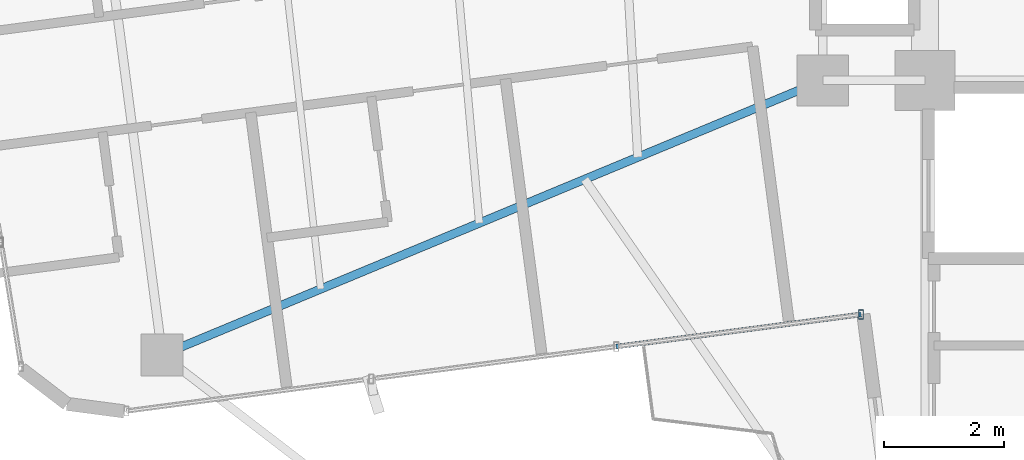
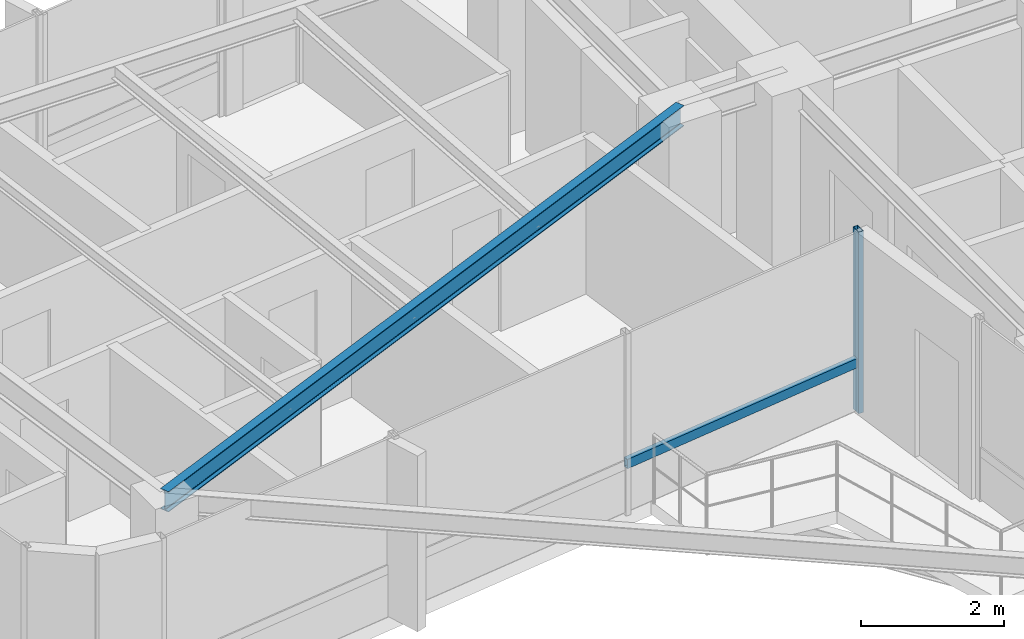
# One storey, part 3 of 23: 2 members, 1 beam, 1 element without a shape of its own.
"""IFC4 building model written with IfcOpenShell, lengths in metres."""

from ifc_helpers import new_model, si_unit, direction, frame, origin, origin_2d, place, context, subcontext, project, spatial, hollow_rectangle, i_section, extrude, source, transform, mapped, material, material_profile, profile_set, type_object, element, aggregate, save


model = new_model("IFC4")

# Units and contexts
model_context = context("Model", 3, precision=1e-05, world=origin(), true_north=direction((0.0, 1.0)))
body_context = subcontext(model_context, "Body", "Model", "MODEL_VIEW")
ifc_project = project(units=[si_unit("LENGTHUNIT", "METRE"), si_unit("AREAUNIT", "SQUARE_METRE"), si_unit("VOLUMEUNIT", "CUBIC_METRE"), si_unit("PLANEANGLEUNIT", "RADIAN"), si_unit("MASSUNIT", "GRAM", prefix="KILO")], contexts=[model_context])

# Site, building, storey
site_placement = place(None, origin())
site = spatial("IfcSite", under=ifc_project, at=site_placement, CompositionType="ELEMENT")
building_placement = place(site_placement, origin())
building = spatial("IfcBuilding", under=site, at=building_placement, Name="Sahyath Konkavel Grand Hotel", CompositionType="ELEMENT")
storey_placement = place(building_placement, frame((0.0, 0.0, 254.550048828125)))
storey = spatial("IfcBuildingStorey", under=building, at=storey_placement, Name="L71", CompositionType="ELEMENT", Elevation=254.550048828125)

# Beam
ifc_material_1 = material(Name="Steel E350", Category="steel")
ifc_material_profile_1 = material_profile(ifc_material_1, i_section(OverallWidth=0.139892578125, OverallDepth=0.35009765625, WebThickness=0.008056640625, FlangeThickness=0.01416015625, FilletRadius=0.013916015625, at=origin_2d()), Name="ISMB 350")
ifc_profile_set_1 = profile_set([ifc_material_profile_1], Name="Steel E350")
beam_type = type_object("IfcBeamType", Name="BM-ISMB350", PredefinedType="BEAM", material=ifc_profile_set_1)
shared_shape_1 = source(origin(), body_context, "Body", "SweptSolid", [
    extrude(i_section(OverallWidth=0.139892578125, OverallDepth=0.35009765625, WebThickness=0.008056640625, FlangeThickness=0.01416015625, FilletRadius=0.013916015625, at=origin_2d()), origin(), (0.0, 0.0, 1.0), 11.895751953125),
])
beam_placement = place(storey_placement, frame((-5.5, -2.39990234375, 2.93505859375), z_axis=(-0.923422651316, -0.383784584158, 0.0), x_axis=(0.383784584158, -0.923422651316, 0.0)))
element("IfcBeam", 1, at=beam_placement, inside=storey, type_object=beam_type, Name="L71 Cruciform Radial Girder WB", PredefinedType="BEAM", context=body_context, shape_type="MappedRepresentation", body=[
    mapped(shared_shape_1, transform((0.0, 0.0, 0.0), scale=1.0)),
])

# Curtain wall, members
ifc_material_2 = material(Name="Anodised Bronze Aluminium & Low-E Glazing", Category="aluminium")
curtain_wall_type = type_object("IfcCurtainWallType", Name="CW-ZONE4", PredefinedType="NOTDEFINED", material=ifc_material_2)
curtain_wall_placement = place(storey_placement, origin())
curtain_wall = element("IfcCurtainWall", 2, at=curtain_wall_placement, inside=storey, type_object=curtain_wall_type, Name="L71 Unitised Curtain Wall F23", PredefinedType="NOTDEFINED")
ifc_material_3 = material(Name="Anodised Bronze Aluminium", Category="aluminium")
ifc_material_profile_2 = material_profile(ifc_material_3, hollow_rectangle(XDim=0.080078125, YDim=0.159912109375, WallThickness=0.006103515625, at=origin_2d()), Name="RHS 160x80x6")
ifc_profile_set_2 = profile_set([ifc_material_profile_2], Name="Anodised Bronze Aluminium")
member_type_1 = type_object("IfcMemberType", Name="CW-MUL-160", PredefinedType="MULLION", material=ifc_profile_set_2)
shared_shape_2 = source(origin(), body_context, "Body", "SweptSolid", [
    extrude(hollow_rectangle(XDim=0.080078125, YDim=0.159912109375, WallThickness=0.006103515625, at=origin_2d()), origin(), (0.0, 0.0, 1.0), 3.10986328125),
])
member_1_placement = place(storey_placement, frame((-4.8642578125, -6.292724609375, 0.0), z_axis=(0.0, 0.0, 1.0), x_axis=(1.0, 0.0, 0.0)))
member_1 = element("IfcMember", 3, at=member_1_placement, type_object=member_type_1, Name="L71 Curtain Wall Mullion F23-3", PredefinedType="MULLION", context=body_context, shape_type="MappedRepresentation", body=[
    mapped(shared_shape_2, transform((0.0, 0.0, 0.0), scale=1.0)),
])
ifc_material_profile_3 = material_profile(ifc_material_3, hollow_rectangle(XDim=0.080078125, YDim=0.159912109375, WallThickness=0.006103515625, at=origin_2d()), Name="RHS 160x80x6")
ifc_profile_set_3 = profile_set([ifc_material_profile_3], Name="Anodised Bronze Aluminium")
member_type_2 = type_object("IfcMemberType", Name="CW-TRN-160", PredefinedType="USERDEFINED", material=ifc_profile_set_3)
shared_shape_3 = source(origin(), body_context, "Body", "SweptSolid", [
    extrude(hollow_rectangle(XDim=0.080078125, YDim=0.159912109375, WallThickness=0.006103515625, at=origin_2d()), origin(), (0.0, 0.0, 1.0), 4.1064453125),
])
member_2_placement = place(storey_placement, frame((-8.935546875, -6.82861328125, 0.849853515625), z_axis=(0.991448223645, 0.13050065069, 0.0), x_axis=(-0.13050065069, 0.991448223645, 0.0)))
member_2 = element("IfcMember", 4, at=member_2_placement, type_object=member_type_2, Name="L71 Curtain Wall Transom F23-2-spandrel", ObjectType="TRANSOM", PredefinedType="USERDEFINED", context=body_context, shape_type="MappedRepresentation", body=[
    mapped(shared_shape_3, transform((0.0, 0.0, 0.0), scale=1.0)),
])
aggregate(curtain_wall, [member_1, member_2])

save(model, "model.ifc")
